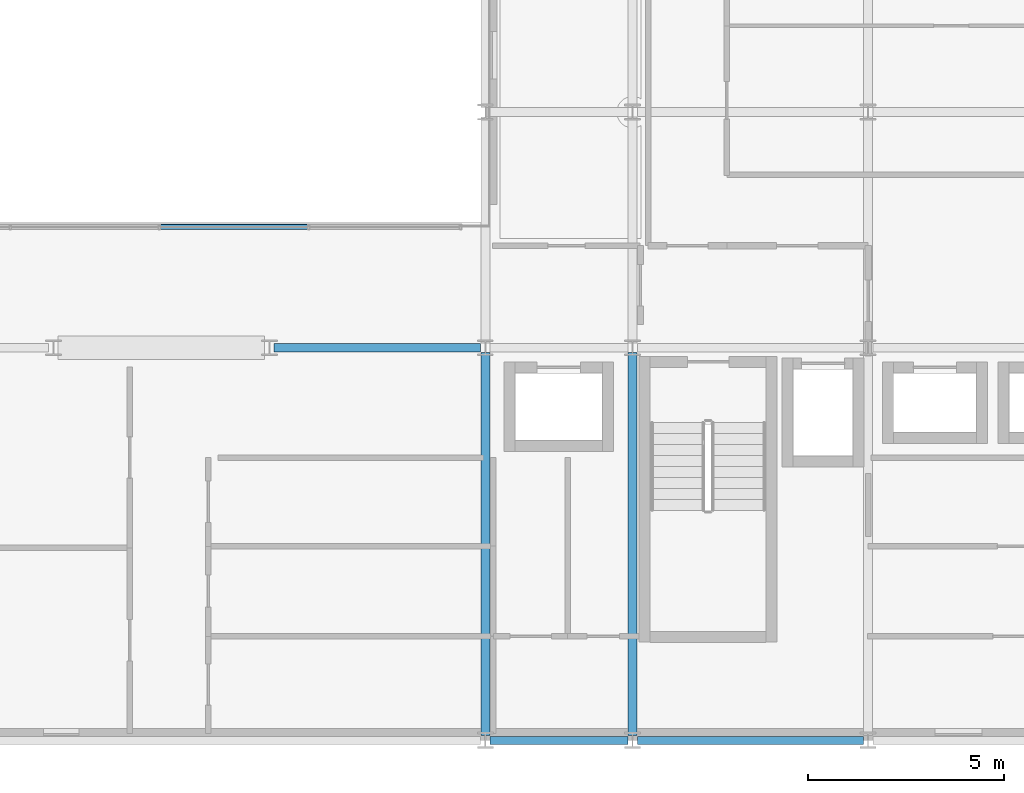
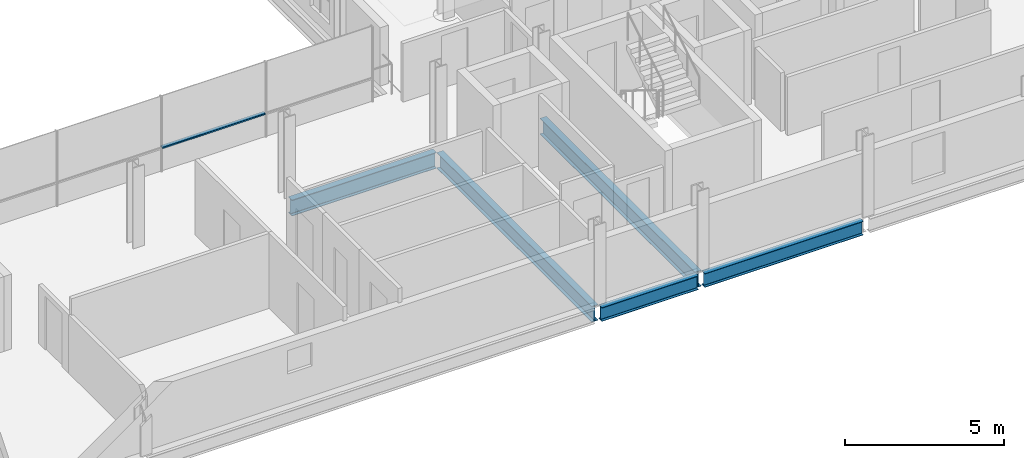
# One storey, part 14 of 39: 5 beams, 1 member, 1 element without a shape of its own.
"""IFC4 building model written with IfcOpenShell, lengths in metres."""

from ifc_helpers import new_model, si_unit, direction, frame, origin, origin_2d, place, context, subcontext, project, spatial, hollow_rectangle, i_section, extrude, material, layer, layer_set, material_profile, profile_set, type_object, element, aggregate, save


model = new_model("IFC4")

# Units and contexts
model_context = context("Model", 3, precision=1e-05, world=origin(), true_north=direction((0.0, 1.0)))
body_context = subcontext(model_context, "Body", "Model", "MODEL_VIEW")
ifc_project = project(units=[si_unit("LENGTHUNIT", "METRE"), si_unit("AREAUNIT", "SQUARE_METRE"), si_unit("VOLUMEUNIT", "CUBIC_METRE"), si_unit("PLANEANGLEUNIT", "RADIAN"), si_unit("MASSUNIT", "GRAM", prefix="KILO")], contexts=[model_context])

# Site, building, storey
site_placement = place(None, origin())
site = spatial("IfcSite", under=ifc_project, at=site_placement, CompositionType="ELEMENT")
building_placement = place(site_placement, origin())
building = spatial("IfcBuilding", under=site, at=building_placement, Name="Brevholm Reach", CompositionType="ELEMENT")
storey_placement = place(building_placement, frame((0.0, 0.0, 154.199951171875)))
storey = spatial("IfcBuildingStorey", under=building, at=storey_placement, Name="L46", CompositionType="ELEMENT", Elevation=154.199951171875)

# Beams
ifc_material_1 = material(Name="Structural Steel S355J2", Category="steel")
ifc_material_profile_1 = material_profile(ifc_material_1, i_section(OverallWidth=0.209228515625, OverallDepth=0.533203125, WebThickness=0.010009765625, FlangeThickness=0.015625, FilletRadius=0.0126953125, at=origin_2d()), Name="UKB 533x210x92")
ifc_profile_set_1 = profile_set([ifc_material_profile_1], Name="Structural Steel S355J2")
beam_type_1 = type_object("IfcBeamType", Name="BM-SP533", PredefinedType="SPANDREL", material=ifc_profile_set_1)
beam_1_placement = place(storey_placement, frame((38.3701171875, 0.0, -0.486572265625), z_axis=(1.0, 0.0, 0.0), x_axis=(0.0, 1.0, 0.0)))
element("IfcBeam", 1, at=beam_1_placement, inside=storey, type_object=beam_type_1, Name="L46 SP-02 Framing Beam", PredefinedType="SPANDREL", context=body_context, shape_type="SweptSolid", body=[
    extrude(i_section(OverallWidth=0.209228515625, OverallDepth=0.533203125, WebThickness=0.010009765625, FlangeThickness=0.015625, FilletRadius=0.0126953125, at=origin_2d()), origin(), (0.0, 0.0, 1.0), 3.509765625),
])
beam_2_placement = place(storey_placement, frame((42.1201171875, 0.0, -0.486572265625), z_axis=(1.0, 0.0, 0.0), x_axis=(0.0, 1.0, 0.0)))
element("IfcBeam", 2, at=beam_2_placement, inside=storey, type_object=beam_type_1, Name="L46 SP-02 Framing Beam", PredefinedType="SPANDREL", context=body_context, shape_type="SweptSolid", body=[
    extrude(i_section(OverallWidth=0.209228515625, OverallDepth=0.533203125, WebThickness=0.010009765625, FlangeThickness=0.015625, FilletRadius=0.0126953125, at=origin_2d()), origin(), (0.0, 0.0, 1.0), 5.759765625),
])
ifc_material_2 = material(Name="Structural Steel S355J2", Category="steel")
ifc_material_profile_2 = material_profile(ifc_material_2, i_section(OverallWidth=0.22900390625, OverallDepth=0.6123046875, WebThickness=0.011962890625, FlangeThickness=0.01953125, FilletRadius=0.0126953125, at=origin_2d()), Name="UKB 610x229x125")
ifc_profile_set_2 = profile_set([ifc_material_profile_2], Name="Structural Steel S355J2")
beam_type_2 = type_object("IfcBeamType", Name="BM-SP610", PredefinedType="SPANDREL", material=ifc_profile_set_2)
beam_3_placement = place(storey_placement, frame((32.8701171875, 10.0, -0.526123046875), z_axis=(1.0, 0.0, 0.0), x_axis=(0.0, 1.0, 0.0)))
element("IfcBeam", 3, at=beam_3_placement, inside=storey, type_object=beam_type_2, Name="L46 SP-01 Framing Beam", PredefinedType="SPANDREL", context=body_context, shape_type="SweptSolid", body=[
    extrude(i_section(OverallWidth=0.22900390625, OverallDepth=0.6123046875, WebThickness=0.011962890625, FlangeThickness=0.01953125, FilletRadius=0.0126953125, at=origin_2d()), origin(), (0.0, 0.0, 1.0), 5.259765625),
])
for number, where, z_axis, x_axis, name in (
    (4, (38.25, 0.1201171875, -0.526123046875), (0.0, 1.0, 0.0), (-1.0, 0.0, 0.0), "L46 SP-01 Framing Beam"),
    (5, (42.0, 0.1201171875, -0.526123046875), (0.0, 1.0, 0.0), (-1.0, 0.0, 0.0), "L46 SP-01 Framing Beam"),
):
    element("IfcBeam", number, at=place(storey_placement, frame(where, z_axis=z_axis, x_axis=x_axis)), inside=storey, type_object=beam_type_2, Name=name, PredefinedType="SPANDREL", context=body_context, shape_type="SweptSolid", body=[
        extrude(i_section(OverallWidth=0.22900390625, OverallDepth=0.6123046875, WebThickness=0.011962890625, FlangeThickness=0.01953125, FilletRadius=0.0126953125, at=origin_2d()), origin(), (0.0, 0.0, 1.0), 9.759765625),
    ])

# Curtain wall, member
ifc_material_3 = material(Name="Dark Anodised Aluminium 6063-T6 and Solar-Control Glass", Category="aluminium")
ifc_layer = layer(ifc_material_3, 0.139892578125)
ifc_layer_set = layer_set([ifc_layer], Name="Dark Anodised Aluminium 6063-T6 and Solar-Control Glass")
curtain_wall_type = type_object("IfcCurtainWallType", Name="CW-02", PredefinedType="NOTDEFINED", material=ifc_layer_set)
curtain_wall_placement = place(storey_placement, origin())
curtain_wall = element("IfcCurtainWall", 6, at=curtain_wall_placement, inside=storey, type_object=curtain_wall_type, Name="L46 Curtain Wall CW-02", PredefinedType="NOTDEFINED")
ifc_material_4 = material(Name="Dark Anodised Aluminium 6063-T6", Category="aluminium")
ifc_material_profile_3 = material_profile(ifc_material_4, hollow_rectangle(XDim=0.06005859375, YDim=0.139892578125, WallThickness=0.0048828125, InnerFilletRadius=0.0048828125, OuterFilletRadius=0.010009765625, at=origin_2d()), Name="RHS 140x60x5")
ifc_profile_set_3 = profile_set([ifc_material_profile_3], Name="Dark Anodised Aluminium 6063-T6")
member_type = type_object("IfcMemberType", Name="CWT-140", PredefinedType="NOTDEFINED", material=ifc_profile_set_3)
member_placement = place(storey_placement, frame((29.97998046875, 13.080078125, 0.900146484375), z_axis=(1.0, 0.0, 0.0), x_axis=(0.0, 0.0, 1.0)))
member = element("IfcMember", 7, at=member_placement, type_object=member_type, Name="CT-140 Transom 3.1", ObjectType="TRANSOM", PredefinedType="USERDEFINED", context=body_context, shape_type="SweptSolid", body=[
    extrude(hollow_rectangle(XDim=0.06005859375, YDim=0.139892578125, WallThickness=0.0048828125, InnerFilletRadius=0.0048828125, OuterFilletRadius=0.010009765625, at=origin_2d()), origin(), (0.0, 0.0, 1.0), 3.739990234375),
])
aggregate(curtain_wall, [member])

save(model, "model.ifc")
